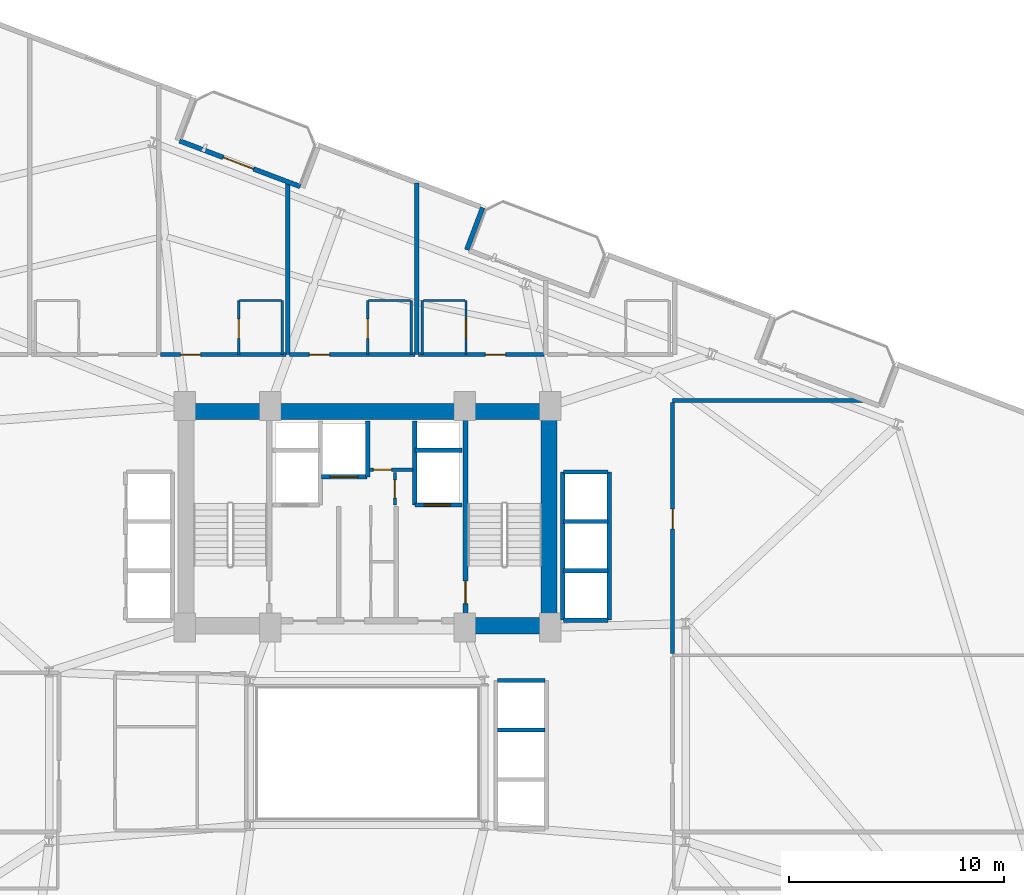
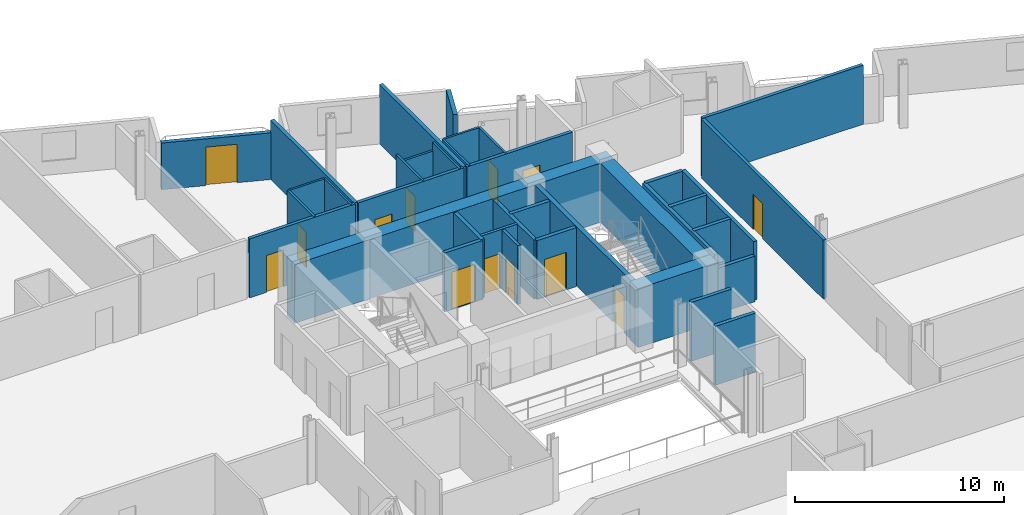
# One storey, part 19 of 24: 37 walls, 13 doors, 13 openings.
"""IFC4 building model written with IfcOpenShell, lengths in metres."""

from ifc_helpers import new_model, si_unit, direction, frame, frame_2d, origin, place, context, subcontext, project, spatial, rectangle, extrude, material, layer, layer_set, type_object, element, fill, save


model = new_model("IFC4")

# Units and contexts
model_context = context("Model", 3, precision=1e-05, world=origin(), true_north=direction((0.0, 1.0)))
body_context = subcontext(model_context, "Body", "Model", "MODEL_VIEW")
ifc_project = project(units=[si_unit("LENGTHUNIT", "METRE"), si_unit("AREAUNIT", "SQUARE_METRE"), si_unit("VOLUMEUNIT", "CUBIC_METRE"), si_unit("PLANEANGLEUNIT", "RADIAN"), si_unit("MASSUNIT", "GRAM", prefix="KILO")], contexts=[model_context])

# Site, building, storey
site_placement = place(None, origin())
site = spatial("IfcSite", under=ifc_project, at=site_placement, CompositionType="ELEMENT")
building_placement = place(site_placement, origin())
building = spatial("IfcBuilding", under=site, at=building_placement, Name="Varnelok Gate Tower", CompositionType="ELEMENT")
storey_placement = place(building_placement, frame((0.0, 0.0, 87.300048828125)))
storey = spatial("IfcBuildingStorey", under=building, at=storey_placement, Name="L21", CompositionType="ELEMENT", Elevation=87.300048828125)

# Wall, opening, door
ifc_material_1 = material(Name="Concrete C45/55", Category="concrete")
ifc_layer_1 = layer(ifc_material_1, 0.219970703125)
ifc_layer_set_1 = layer_set([ifc_layer_1], Name="Concrete C45/55")
wall_type_1 = type_object("IfcWallType", Name="EW-BALC-220", PredefinedType="SOLIDWALL", material=ifc_layer_set_1)
wall_1_placement = place(storey_placement, frame((30.465087890625, 51.37158203125, 0.0), z_axis=(0.0, 0.0, 1.0), x_axis=(0.935227640088, -0.354046976001, 0.0)))
wall_1 = element("IfcWall", 1, at=wall_1_placement, inside=storey, type_object=wall_type_1, Name="L21 North Terrace Envelope Wall 4", PredefinedType="SOLIDWALL", context=body_context, shape_type="SweptSolid", body=[
    extrude(rectangle(XDim=6.0, YDim=0.219970703125, at=frame_2d((3.0, 0.0))), origin(), (0.0, 0.0, 1.0), 2.72998046875),
])
opening_1_placement = place(wall_1_placement, frame((2.176025390625, 0.0, 0.0)))
opening_1 = element("IfcOpeningElement", 2, at=opening_1_placement, cuts=wall_1, Name="Opening BD-1", PredefinedType="OPENING", context=body_context, shape_type="SweptSolid", body=[
    extrude(rectangle(XDim=1.5, YDim=2.25, at=frame_2d((0.75, 1.125))), frame((0.0, 0.119873046875, 0.0), z_axis=(0.0, -1.0, 0.0), x_axis=(1.0, 0.0, 0.0)), (0.0, 0.0, 1.0), 0.239990234375),
])
ifc_material_2 = material(Name="Anodized Aluminum Alloy 6063-T6", Category="aluminium")
door_type_1 = type_object("IfcDoorType", Name="DR-EXT-BALC1500", OperationType="NOTDEFINED", PredefinedType="DOOR", material=ifc_material_2)
door_1_placement = place(opening_1_placement, origin())
door_1 = element("IfcDoor", 3, at=door_1_placement, inside=storey, type_object=door_type_1, Name="L21 North Balcony Glazed Door 4", OperationType="SINGLE_SWING_LEFT", OverallHeight=2.25, OverallWidth=1.5, PredefinedType="DOOR", context=body_context, shape_type="SweptSolid", body=[
    extrude(rectangle(XDim=1.5, YDim=2.25, at=frame_2d((0.75, 1.125))), frame((0.0, 0.02490234375, 0.0), z_axis=(0.0, -1.0, 0.0), x_axis=(1.0, 0.0, 0.0)), (0.0, 0.0, 1.0), 0.050048828125),
])
fill(opening_1, door_1)

# Wall
wall_2_placement = place(storey_placement, frame((43.816650390625, 46.30615234375, 0.0), z_axis=(0.0, 0.0, 1.0), x_axis=(0.353988291547, 0.935249854022, 0.0)))
element("IfcWall", 4, at=wall_2_placement, inside=storey, type_object=wall_type_1, Name="L21 Perimeter Facade Closure Wall 34", PredefinedType="SOLIDWALL", context=body_context, shape_type="SweptSolid", body=[
    extrude(rectangle(XDim=2.10009765625, YDim=0.219970703125, at=frame_2d((1.050048828125, 0.0))), origin(), (0.0, 0.0, 1.0), 2.72998046875),
])

# Wall, opening, door
ifc_material_3 = material(Name="Gypsum Plasterboard Acoustic Partition", Category="gypsum")
ifc_layer_2 = layer(ifc_material_3, 0.179931640625)
ifc_layer_set_2 = layer_set([ifc_layer_2], Name="Gypsum Plasterboard Acoustic Partition")
wall_type_2 = type_object("IfcWallType", Name="PW-CORR-180", PredefinedType="PARTITIONING", material=ifc_layer_set_2)
wall_3_placement = place(storey_placement, frame((29.580078125, 41.429931640625, 0.0), z_axis=(0.0, 0.0, 1.0), x_axis=(1.0, 0.0, 0.0)))
wall_3 = element("IfcWall", 5, at=wall_3_placement, inside=storey, type_object=wall_type_2, Name="Interior Partition", PredefinedType="PARTITIONING", context=body_context, shape_type="SweptSolid", body=[
    extrude(rectangle(XDim=5.83984375, YDim=0.179931640625, at=frame_2d((2.919921875, 0.0))), origin(), (0.0, 0.0, 1.0), 3.449951171875),
])
opening_2_placement = place(wall_3_placement, frame((0.917236328125, 0.0, 0.0)))
opening_2 = element("IfcOpeningElement", 6, at=opening_2_placement, cuts=wall_3, Name="Opening D-HT", PredefinedType="OPENING", context=body_context, shape_type="SweptSolid", body=[
    extrude(rectangle(XDim=0.949951171875, YDim=2.14990234375, at=frame_2d((0.47509765625, 1.074951171875))), frame((0.0, 0.099853515625, 0.0), z_axis=(0.0, -1.0, 0.0), x_axis=(1.0, 0.0, 0.0)), (0.0, 0.0, 1.0), 0.199951171875),
])
ifc_material_4 = material(Name="Engineered Hardwood Timber", Category="wood")
door_type_2 = type_object("IfcDoorType", Name="DR-HTL-950", OperationType="NOTDEFINED", PredefinedType="DOOR", material=ifc_material_4)
door_2_placement = place(opening_2_placement, origin())
door_2 = element("IfcDoor", 7, at=door_2_placement, inside=storey, type_object=door_type_2, Name="L21 Guest Room 07 Entrance Door", OperationType="SINGLE_SWING_RIGHT", OverallHeight=2.14990234375, OverallWidth=0.949951171875, PredefinedType="DOOR", context=body_context, shape_type="SweptSolid", body=[
    extrude(rectangle(XDim=0.949951171875, YDim=2.14990234375, at=frame_2d((0.47509765625, 1.074951171875))), frame((0.0, 0.02490234375, 0.0), z_axis=(0.0, -1.0, 0.0), x_axis=(1.0, 0.0, 0.0)), (0.0, 0.0, 1.0), 0.050048828125),
])
fill(opening_2, door_2)

wall_4_placement = place(storey_placement, frame((35.580078125, 41.429931640625, 0.0), z_axis=(0.0, 0.0, 1.0), x_axis=(1.0, 0.0, 0.0)))
wall_4 = element("IfcWall", 8, at=wall_4_placement, inside=storey, type_object=wall_type_2, Name="Interior Partition", PredefinedType="PARTITIONING", context=body_context, shape_type="SweptSolid", body=[
    extrude(rectangle(XDim=5.83984375, YDim=0.179931640625, at=frame_2d((2.919921875, 0.0))), origin(), (0.0, 0.0, 1.0), 3.449951171875),
])
opening_3_placement = place(wall_4_placement, frame((0.917236328125, 0.0, 0.0)))
opening_3 = element("IfcOpeningElement", 9, at=opening_3_placement, cuts=wall_4, Name="Opening D-HT", PredefinedType="OPENING", context=body_context, shape_type="SweptSolid", body=[
    extrude(rectangle(XDim=0.949951171875, YDim=2.14990234375, at=frame_2d((0.47509765625, 1.074951171875))), frame((0.0, 0.099853515625, 0.0), z_axis=(0.0, -1.0, 0.0), x_axis=(1.0, 0.0, 0.0)), (0.0, 0.0, 1.0), 0.199951171875),
])
door_3_placement = place(opening_3_placement, origin())
door_3 = element("IfcDoor", 10, at=door_3_placement, inside=storey, type_object=door_type_2, Name="L21 Guest Room 08 Entrance Door", OperationType="SINGLE_SWING_LEFT", OverallHeight=2.14990234375, OverallWidth=0.949951171875, PredefinedType="DOOR", context=body_context, shape_type="SweptSolid", body=[
    extrude(rectangle(XDim=0.949951171875, YDim=2.14990234375, at=frame_2d((0.47509765625, 1.074951171875))), frame((0.0, 0.02490234375, 0.0), z_axis=(0.0, -1.0, 0.0), x_axis=(1.0, 0.0, 0.0)), (0.0, 0.0, 1.0), 0.050048828125),
])
fill(opening_3, door_3)

wall_5_placement = place(storey_placement, frame((41.580078125, 41.429931640625, 0.0), z_axis=(0.0, 0.0, 1.0), x_axis=(1.0, 0.0, 0.0)))
wall_5 = element("IfcWall", 11, at=wall_5_placement, inside=storey, type_object=wall_type_2, Name="Interior Partition", PredefinedType="PARTITIONING", context=body_context, shape_type="SweptSolid", body=[
    extrude(rectangle(XDim=5.83984375, YDim=0.179931640625, at=frame_2d((2.919921875, 0.0))), origin(), (0.0, 0.0, 1.0), 3.449951171875),
])
opening_4_placement = place(wall_5_placement, frame((3.101318359375, 0.0, 0.0)))
opening_4 = element("IfcOpeningElement", 12, at=opening_4_placement, cuts=wall_5, Name="Opening D-HT", PredefinedType="OPENING", context=body_context, shape_type="SweptSolid", body=[
    extrude(rectangle(XDim=0.949951171875, YDim=2.14990234375, at=frame_2d((0.47509765625, 1.074951171875))), frame((0.0, 0.099853515625, 0.0), z_axis=(0.0, -1.0, 0.0), x_axis=(1.0, 0.0, 0.0)), (0.0, 0.0, 1.0), 0.199951171875),
])
door_4_placement = place(opening_4_placement, origin())
door_4 = element("IfcDoor", 13, at=door_4_placement, inside=storey, type_object=door_type_2, Name="L21 Guest Room 09 Entrance Door", OperationType="SINGLE_SWING_RIGHT", OverallHeight=2.14990234375, OverallWidth=0.949951171875, PredefinedType="DOOR", context=body_context, shape_type="SweptSolid", body=[
    extrude(rectangle(XDim=0.949951171875, YDim=2.14990234375, at=frame_2d((0.47509765625, 1.074951171875))), frame((0.0, 0.02490234375, 0.0), z_axis=(0.0, -1.0, 0.0), x_axis=(1.0, 0.0, 0.0)), (0.0, 0.0, 1.0), 0.050048828125),
])
fill(opening_4, door_4)

wall_6_placement = place(storey_placement, frame((53.389892578125, 27.530029296875, 0.0), z_axis=(0.0, 0.0, 1.0), x_axis=(0.0, 1.0, 0.0)))
wall_6 = element("IfcWall", 14, at=wall_6_placement, inside=storey, type_object=wall_type_2, Name="Interior Partition", PredefinedType="PARTITIONING", context=body_context, shape_type="SweptSolid", body=[
    extrude(rectangle(XDim=11.669921875, YDim=0.179931640625, at=frame_2d((5.8349609375, 0.0))), origin(), (0.0, 0.0, 1.0), 3.449951171875),
])
opening_5_placement = place(wall_6_placement, frame((5.800048828125, 0.0, 0.0)))
opening_5 = element("IfcOpeningElement", 15, at=opening_5_placement, cuts=wall_6, Name="Opening D-I3", PredefinedType="OPENING", context=body_context, shape_type="SweptSolid", body=[
    extrude(rectangle(XDim=0.919921875, YDim=2.050048828125, at=frame_2d((0.4599609375, 1.02490234375))), frame((0.0, 0.099853515625, 0.0), z_axis=(0.0, -1.0, 0.0), x_axis=(1.0, 0.0, 0.0)), (0.0, 0.0, 1.0), 0.199951171875),
])
door_type_3 = type_object("IfcDoorType", Name="DR-INT-920", OperationType="NOTDEFINED", PredefinedType="DOOR", material=ifc_material_4)
door_5_placement = place(opening_5_placement, origin())
door_5 = element("IfcDoor", 16, at=door_5_placement, inside=storey, type_object=door_type_3, Name="L21 East Suite 2 Door", OperationType="SINGLE_SWING_RIGHT", OverallHeight=2.050048828125, OverallWidth=0.919921875, PredefinedType="DOOR", context=body_context, shape_type="SweptSolid", body=[
    extrude(rectangle(XDim=0.919921875, YDim=2.050048828125, at=frame_2d((0.4599609375, 1.02490234375))), frame((0.0, 0.02490234375, 0.0), z_axis=(0.0, -1.0, 0.0), x_axis=(1.0, 0.0, 0.0)), (0.0, 0.0, 1.0), 0.050048828125),
])
fill(opening_5, door_5)

# Walls
wall_7_placement = place(storey_placement, frame((53.389892578125, 39.300048828125, 0.0), z_axis=(0.0, 0.0, 1.0), x_axis=(1.0, 0.0, 0.0)))
element("IfcWall", 17, at=wall_7_placement, inside=storey, type_object=wall_type_2, Name="Interior Partition", PredefinedType="PARTITIONING", context=body_context, shape_type="SweptSolid", body=[
    extrude(rectangle(XDim=8.87646484375, YDim=0.179931640625, at=frame_2d((4.438232421875, 0.0))), origin(), (0.0, 0.0, 1.0), 3.449951171875),
])
ifc_layer_3 = layer(ifc_material_3, 0.114990234375)
ifc_layer_set_3 = layer_set([ifc_layer_3], Name="Gypsum Plasterboard Acoustic Partition")
wall_type_3 = type_object("IfcWallType", Name="PW-ENS-125", PredefinedType="PARTITIONING", material=ifc_layer_set_3)
wall_8_placement = place(storey_placement, frame((33.256103515625, 43.949951171875, 0.0), z_axis=(0.0, 0.0, 1.0), x_axis=(1.0, 0.0, 0.0)))
element("IfcWall", 18, at=wall_8_placement, inside=storey, type_object=wall_type_3, Name="Interior Partition", PredefinedType="PARTITIONING", context=body_context, shape_type="SweptSolid", body=[
    extrude(rectangle(XDim=1.94384765625, YDim=0.114990234375, at=frame_2d((0.971923828125, 0.0))), origin(), (0.0, 0.0, 1.0), 3.449951171875),
])

# Wall, opening, door
wall_9_placement = place(storey_placement, frame((33.216064453125, 41.429931640625, 0.0), z_axis=(0.0, 0.0, 1.0), x_axis=(0.0, 1.0, 0.0)))
wall_9 = element("IfcWall", 19, at=wall_9_placement, inside=storey, type_object=wall_type_3, Name="Interior Partition", PredefinedType="PARTITIONING", context=body_context, shape_type="SweptSolid", body=[
    extrude(rectangle(XDim=2.52001953125, YDim=0.114990234375, at=frame_2d((1.260009765625, 0.0))), origin(), (0.0, 0.0, 1.0), 3.449951171875),
])
opening_6_placement = place(wall_9_placement, frame((0.760009765625, 0.0, 0.0)))
opening_6 = element("IfcOpeningElement", 20, at=opening_6_placement, cuts=wall_9, Name="Opening D-WC", PredefinedType="OPENING", context=body_context, shape_type="SweptSolid", body=[
    extrude(rectangle(XDim=0.89990234375, YDim=2.050048828125, at=frame_2d((0.449951171875, 1.02490234375))), frame((0.0, 0.0673828125, 0.0), z_axis=(0.0, -1.0, 0.0), x_axis=(1.0, 0.0, 0.0)), (0.0, 0.0, 1.0), 0.135009765625),
])
door_type_4 = type_object("IfcDoorType", Name="DR-BATH-900", OperationType="NOTDEFINED", PredefinedType="DOOR", material=ifc_material_4)
door_6_placement = place(opening_6_placement, origin())
door_6 = element("IfcDoor", 21, at=door_6_placement, inside=storey, type_object=door_type_4, Name="L21 North En-Suite 07 Door", OperationType="SINGLE_SWING_LEFT", OverallHeight=2.050048828125, OverallWidth=0.89990234375, PredefinedType="DOOR", context=body_context, shape_type="SweptSolid", body=[
    extrude(rectangle(XDim=0.89990234375, YDim=2.050048828125, at=frame_2d((0.449951171875, 1.02490234375))), frame((0.0, 0.02490234375, 0.0), z_axis=(0.0, -1.0, 0.0), x_axis=(1.0, 0.0, 0.0)), (0.0, 0.0, 1.0), 0.050048828125),
])
fill(opening_6, door_6)

# Walls
wall_10_placement = place(storey_placement, frame((35.239990234375, 41.429931640625, 0.0), z_axis=(0.0, 0.0, 1.0), x_axis=(0.0, 1.0, 0.0)))
element("IfcWall", 22, at=wall_10_placement, inside=storey, type_object=wall_type_3, Name="Interior Partition", PredefinedType="PARTITIONING", context=body_context, shape_type="SweptSolid", body=[
    extrude(rectangle(XDim=2.52001953125, YDim=0.114990234375, at=frame_2d((1.260009765625, 0.0))), origin(), (0.0, 0.0, 1.0), 3.449951171875),
])
wall_11_placement = place(storey_placement, frame((39.256103515625, 43.949951171875, 0.0), z_axis=(0.0, 0.0, 1.0), x_axis=(1.0, 0.0, 0.0)))
element("IfcWall", 23, at=wall_11_placement, inside=storey, type_object=wall_type_3, Name="Interior Partition", PredefinedType="PARTITIONING", context=body_context, shape_type="SweptSolid", body=[
    extrude(rectangle(XDim=1.94384765625, YDim=0.114990234375, at=frame_2d((0.971923828125, 0.0))), origin(), (0.0, 0.0, 1.0), 2.971923828125),
])

# Wall, opening, door
wall_12_placement = place(storey_placement, frame((39.216064453125, 41.429931640625, 0.0), z_axis=(0.0, 0.0, 1.0), x_axis=(0.0, 1.0, 0.0)))
wall_12 = element("IfcWall", 24, at=wall_12_placement, inside=storey, type_object=wall_type_3, Name="Interior Partition", PredefinedType="PARTITIONING", context=body_context, shape_type="SweptSolid", body=[
    extrude(rectangle(XDim=2.52001953125, YDim=0.114990234375, at=frame_2d((1.260009765625, 0.0))), origin(), (0.0, 0.0, 1.0), 3.449951171875),
])
opening_7_placement = place(wall_12_placement, frame((0.760009765625, 0.0, 0.0)))
opening_7 = element("IfcOpeningElement", 25, at=opening_7_placement, cuts=wall_12, Name="Opening D-WC", PredefinedType="OPENING", context=body_context, shape_type="SweptSolid", body=[
    extrude(rectangle(XDim=0.89990234375, YDim=2.050048828125, at=frame_2d((0.449951171875, 1.02490234375))), frame((0.0, 0.0673828125, 0.0), z_axis=(0.0, -1.0, 0.0), x_axis=(1.0, 0.0, 0.0)), (0.0, 0.0, 1.0), 0.135009765625),
])
door_7_placement = place(opening_7_placement, origin())
door_7 = element("IfcDoor", 26, at=door_7_placement, inside=storey, type_object=door_type_4, Name="L21 North En-Suite 08 Door", OperationType="SINGLE_SWING_LEFT", OverallHeight=2.050048828125, OverallWidth=0.89990234375, PredefinedType="DOOR", context=body_context, shape_type="SweptSolid", body=[
    extrude(rectangle(XDim=0.89990234375, YDim=2.050048828125, at=frame_2d((0.449951171875, 1.02490234375))), frame((0.0, 0.02490234375, 0.0), z_axis=(0.0, -1.0, 0.0), x_axis=(1.0, 0.0, 0.0)), (0.0, 0.0, 1.0), 0.050048828125),
])
fill(opening_7, door_7)

# Walls
wall_13_placement = place(storey_placement, frame((41.239990234375, 41.429931640625, 0.0), z_axis=(0.0, 0.0, 1.0), x_axis=(0.0, 1.0, 0.0)))
element("IfcWall", 27, at=wall_13_placement, inside=storey, type_object=wall_type_3, Name="Interior Partition", PredefinedType="PARTITIONING", context=body_context, shape_type="SweptSolid", body=[
    extrude(rectangle(XDim=2.52001953125, YDim=0.114990234375, at=frame_2d((1.260009765625, 0.0))), origin(), (0.0, 0.0, 1.0), 3.449951171875),
])
wall_14_placement = place(storey_placement, frame((41.800048828125, 43.949951171875, 0.0), z_axis=(0.0, 0.0, 1.0), x_axis=(1.0, 0.0, 0.0)))
element("IfcWall", 28, at=wall_14_placement, inside=storey, type_object=wall_type_3, Name="Interior Partition", PredefinedType="PARTITIONING", context=body_context, shape_type="SweptSolid", body=[
    extrude(rectangle(XDim=1.94384765625, YDim=0.114990234375, at=frame_2d((0.971923828125, 0.0))), origin(), (0.0, 0.0, 1.0), 3.449951171875),
])

# Wall, opening, door
wall_15_placement = place(storey_placement, frame((43.783935546875, 41.429931640625, 0.0), z_axis=(0.0, 0.0, 1.0), x_axis=(0.0, 1.0, 0.0)))
wall_15 = element("IfcWall", 29, at=wall_15_placement, inside=storey, type_object=wall_type_3, Name="Interior Partition", PredefinedType="PARTITIONING", context=body_context, shape_type="SweptSolid", body=[
    extrude(rectangle(XDim=2.52001953125, YDim=0.114990234375, at=frame_2d((1.260009765625, 0.0))), origin(), (0.0, 0.0, 1.0), 3.449951171875),
])
opening_8_placement = place(wall_15_placement, frame((0.760009765625, 0.0, 0.0)))
opening_8 = element("IfcOpeningElement", 30, at=opening_8_placement, cuts=wall_15, Name="Opening D-WC", PredefinedType="OPENING", context=body_context, shape_type="SweptSolid", body=[
    extrude(rectangle(XDim=0.89990234375, YDim=2.050048828125, at=frame_2d((0.449951171875, 1.02490234375))), frame((0.0, 0.0673828125, 0.0), z_axis=(0.0, -1.0, 0.0), x_axis=(1.0, 0.0, 0.0)), (0.0, 0.0, 1.0), 0.135009765625),
])
door_8_placement = place(opening_8_placement, origin())
door_8 = element("IfcDoor", 31, at=door_8_placement, inside=storey, type_object=door_type_4, Name="L21 North En-Suite 09 Door", OperationType="SINGLE_SWING_RIGHT", OverallHeight=2.050048828125, OverallWidth=0.89990234375, PredefinedType="DOOR", context=body_context, shape_type="SweptSolid", body=[
    extrude(rectangle(XDim=0.89990234375, YDim=2.050048828125, at=frame_2d((0.449951171875, 1.02490234375))), frame((0.0, 0.02490234375, 0.0), z_axis=(0.0, -1.0, 0.0), x_axis=(1.0, 0.0, 0.0)), (0.0, 0.0, 1.0), 0.050048828125),
])
fill(opening_8, door_8)

# Wall
wall_16_placement = place(storey_placement, frame((41.760009765625, 41.429931640625, 0.0), z_axis=(0.0, 0.0, 1.0), x_axis=(0.0, 1.0, 0.0)))
element("IfcWall", 32, at=wall_16_placement, inside=storey, type_object=wall_type_3, Name="Interior Partition", PredefinedType="PARTITIONING", context=body_context, shape_type="SweptSolid", body=[
    extrude(rectangle(XDim=2.52001953125, YDim=0.114990234375, at=frame_2d((1.260009765625, 0.0))), origin(), (0.0, 0.0, 1.0), 3.449951171875),
])

# Wall, opening, door
ifc_layer_4 = layer(ifc_material_3, 0.14990234375)
ifc_layer_set_4 = layer_set([ifc_layer_4], Name="Gypsum Plasterboard Acoustic Partition")
wall_type_4 = type_object("IfcWallType", Name="PW-PART-150", PredefinedType="PARTITIONING", material=ifc_layer_set_4)
wall_17_placement = place(storey_placement, frame((39.300048828125, 36.080078125, 0.0), z_axis=(0.0, 0.0, 1.0), x_axis=(1.0, 0.0, 0.0)))
wall_17 = element("IfcWall", 33, at=wall_17_placement, inside=storey, type_object=wall_type_4, Name="L21 Electrical Closet South Wall", PredefinedType="PARTITIONING", context=body_context, shape_type="SweptSolid", body=[
    extrude(rectangle(XDim=2.02001953125, YDim=0.14990234375, at=frame_2d((1.010009765625, 0.0))), origin(), (0.0, 0.0, 1.0), 3.449951171875),
])
opening_9_placement = place(wall_17_placement, frame((0.179931640625, 0.0, 0.0)))
opening_9 = element("IfcOpeningElement", 34, at=opening_9_placement, cuts=wall_17, Name="Opening D-RS", PredefinedType="OPENING", context=body_context, shape_type="SweptSolid", body=[
    extrude(rectangle(XDim=0.85009765625, YDim=2.050048828125, at=frame_2d((0.425048828125, 1.02490234375))), frame((0.0, 0.0849609375, 0.0), z_axis=(0.0, -1.0, 0.0), x_axis=(1.0, 0.0, 0.0)), (0.0, 0.0, 1.0), 0.169921875),
])
ifc_material_5 = material(Name="Galvanized Steel Grade S350GD", Category="steel")
door_type_5 = type_object("IfcDoorType", Name="DR-RISER-850", OperationType="NOTDEFINED", PredefinedType="DOOR", material=ifc_material_5)
door_9_placement = place(opening_9_placement, origin())
door_9 = element("IfcDoor", 35, at=door_9_placement, inside=storey, type_object=door_type_5, Name="L21 Electrical Closet Door", OperationType="SINGLE_SWING_RIGHT", OverallHeight=2.050048828125, OverallWidth=0.85009765625, PredefinedType="DOOR", context=body_context, shape_type="SweptSolid", body=[
    extrude(rectangle(XDim=0.85009765625, YDim=2.050048828125, at=frame_2d((0.425048828125, 1.02490234375))), frame((0.0, 0.02490234375, 0.0), z_axis=(0.0, -1.0, 0.0), x_axis=(1.0, 0.0, 0.0)), (0.0, 0.0, 1.0), 0.050048828125),
])
fill(opening_9, door_9)

wall_18_placement = place(storey_placement, frame((40.47998046875, 34.43994140625, 0.0), z_axis=(0.0, 0.0, 1.0), x_axis=(0.0, 1.0, 0.0)))
wall_18 = element("IfcWall", 36, at=wall_18_placement, inside=storey, type_object=wall_type_4, Name="L21 Telecoms Closet West Wall", PredefinedType="PARTITIONING", context=body_context, shape_type="SweptSolid", body=[
    extrude(rectangle(XDim=1.52001953125, YDim=0.14990234375, at=frame_2d((0.760009765625, 0.0))), origin(), (0.0, 0.0, 1.0), 3.449951171875),
])
opening_10_placement = place(wall_18_placement, frame((0.320068359375, 0.0, 0.0)))
opening_10 = element("IfcOpeningElement", 37, at=opening_10_placement, cuts=wall_18, Name="Opening D-RS", PredefinedType="OPENING", context=body_context, shape_type="SweptSolid", body=[
    extrude(rectangle(XDim=0.85009765625, YDim=2.050048828125, at=frame_2d((0.425048828125, 1.02490234375))), frame((0.0, 0.0849609375, 0.0), z_axis=(0.0, -1.0, 0.0), x_axis=(1.0, 0.0, 0.0)), (0.0, 0.0, 1.0), 0.169921875),
])
door_10_placement = place(opening_10_placement, origin())
door_10 = element("IfcDoor", 38, at=door_10_placement, inside=storey, type_object=door_type_5, Name="L21 Telecoms Closet Door", OperationType="SINGLE_SWING_LEFT", OverallHeight=2.050048828125, OverallWidth=0.85009765625, PredefinedType="DOOR", context=body_context, shape_type="SweptSolid", body=[
    extrude(rectangle(XDim=0.85009765625, YDim=2.050048828125, at=frame_2d((0.425048828125, 1.02490234375))), frame((0.0, 0.02490234375, 0.0), z_axis=(0.0, -1.0, 0.0), x_axis=(1.0, 0.0, 0.0)), (0.0, 0.0, 1.0), 0.050048828125),
])
fill(opening_10, door_10)

# Walls
ifc_layer_5 = layer(ifc_material_3, 0.205078125)
ifc_layer_set_5 = layer_set([ifc_layer_5], Name="Gypsum Plasterboard Acoustic Partition")
wall_type_5 = type_object("IfcWallType", Name="PW-PARTY-200", PredefinedType="PARTITIONING", material=ifc_layer_set_5)
wall_19_placement = place(storey_placement, frame((35.5, 41.429931640625, 0.0), z_axis=(0.0, 0.0, 1.0), x_axis=(0.0, 1.0, 0.0)))
element("IfcWall", 39, at=wall_19_placement, inside=storey, type_object=wall_type_5, Name="L21 North Party Wall 3", PredefinedType="PARTITIONING", context=body_context, shape_type="SweptSolid", body=[
    extrude(rectangle(XDim=8.00341796875, YDim=0.205078125, at=frame_2d((4.001708984375, 0.0))), origin(), (0.0, 0.0, 1.0), 3.449951171875),
])
wall_20_placement = place(storey_placement, frame((41.5, 41.429931640625, 0.0), z_axis=(0.0, 0.0, 1.0), x_axis=(0.0, 1.0, 0.0)))
element("IfcWall", 40, at=wall_20_placement, inside=storey, type_object=wall_type_5, Name="L21 North Party Wall 4", PredefinedType="PARTITIONING", context=body_context, shape_type="SweptSolid", body=[
    extrude(rectangle(XDim=7.977294921875, YDim=0.205078125, at=frame_2d((3.98876953125, 0.0))), origin(), (0.0, 0.0, 1.0), 3.449951171875),
])

# Wall, opening, door
ifc_material_6 = material(Name="Concrete C35/45", Category="concrete")
ifc_layer_6 = layer(ifc_material_6, 0.199951171875)
ifc_layer_set_6 = layer_set([ifc_layer_6], Name="Concrete C35/45")
wall_type_6 = type_object("IfcWallType", Name="PW-SHAFT-200", PredefinedType="PARTITIONING", material=ifc_layer_set_6)
wall_21_placement = place(storey_placement, frame((41.419921875, 34.43994140625, 0.0), z_axis=(0.0, 0.0, 1.0), x_axis=(1.0, 0.0, 0.0)))
wall_21 = element("IfcWall", 41, at=wall_21_placement, inside=storey, type_object=wall_type_6, Name="L21 FF2 Shaft Front Wall", PredefinedType="PARTITIONING", context=body_context, shape_type="SweptSolid", body=[
    extrude(rectangle(XDim=2.18017578125, YDim=0.199951171875, at=frame_2d((1.090087890625, 0.0))), origin(), (0.0, 0.0, 1.0), 3.449951171875),
])
opening_11_placement = place(wall_21_placement, frame((0.419921875, 0.0, 0.0)))
opening_11 = element("IfcOpeningElement", 42, at=opening_11_placement, cuts=wall_21, Name="Opening LD-FF2", PredefinedType="OPENING", context=body_context, shape_type="SweptSolid", body=[
    extrude(rectangle(XDim=1.199951171875, YDim=2.199951171875, at=frame_2d((0.60009765625, 1.10009765625))), frame((0.0, 0.10986328125, 0.0), z_axis=(0.0, -1.0, 0.0), x_axis=(1.0, 0.0, 0.0)), (0.0, 0.0, 1.0), 0.219970703125),
])
door_type_6 = type_object("IfcDoorType", Name="DR-LIFT-FF1200", OperationType="SLIDING_TO_LEFT", PredefinedType="DOOR", material=ifc_material_5)
door_11_placement = place(opening_11_placement, origin())
door_11 = element("IfcDoor", 43, at=door_11_placement, inside=storey, type_object=door_type_6, Name="L21 Firefighting Lift Landing Door LD-FF2", OperationType="SLIDING_TO_LEFT", OverallHeight=2.199951171875, OverallWidth=1.199951171875, PredefinedType="DOOR", context=body_context, shape_type="SweptSolid", body=[
    extrude(rectangle(XDim=1.199951171875, YDim=2.199951171875, at=frame_2d((0.60009765625, 1.10009765625))), frame((0.0, 0.02490234375, 0.0), z_axis=(0.0, -1.0, 0.0), x_axis=(1.0, 0.0, 0.0)), (0.0, 0.0, 1.0), 0.050048828125),
])
fill(opening_11, door_11)

# Walls
wall_22_placement = place(storey_placement, frame((41.419921875, 36.97998046875, 0.0), z_axis=(0.0, 0.0, 1.0), x_axis=(1.0, 0.0, 0.0)))
element("IfcWall", 44, at=wall_22_placement, inside=storey, type_object=wall_type_6, Name="L21 FF2 Shaft North Wall", PredefinedType="PARTITIONING", context=body_context, shape_type="SweptSolid", body=[
    extrude(rectangle(XDim=2.18017578125, YDim=0.199951171875, at=frame_2d((1.090087890625, 0.0))), origin(), (0.0, 0.0, 1.0), 3.449951171875),
])
wall_23_placement = place(storey_placement, frame((41.39990234375, 34.43994140625, 0.0), z_axis=(0.0, 0.0, 1.0), x_axis=(0.0, 1.0, 0.0)))
element("IfcWall", 45, at=wall_23_placement, inside=storey, type_object=wall_type_6, Name="L21 FF2 Shaft Side Wall", PredefinedType="PARTITIONING", context=body_context, shape_type="SweptSolid", body=[
    extrude(rectangle(XDim=3.900146484375, YDim=0.199951171875, at=frame_2d((1.9501953125, 0.0))), origin(), (0.0, 0.0, 1.0), 3.449951171875),
])

# Wall, opening, door
wall_24_placement = place(storey_placement, frame((37.06005859375, 35.75, 0.0), z_axis=(0.0, 0.0, 1.0), x_axis=(1.0, 0.0, 0.0)))
wall_24 = element("IfcWall", 46, at=wall_24_placement, inside=storey, type_object=wall_type_6, Name="L21 SV1 Shaft Front Wall", PredefinedType="PARTITIONING", context=body_context, shape_type="SweptSolid", body=[
    extrude(rectangle(XDim=2.119873046875, YDim=0.199951171875, at=frame_2d((1.06005859375, 0.0))), origin(), (0.0, 0.0, 1.0), 3.449951171875),
])
opening_12_placement = place(wall_24_placement, frame((0.39990234375, 0.0, 0.0)))
opening_12 = element("IfcOpeningElement", 47, at=opening_12_placement, cuts=wall_24, Name="Opening LD-SV1", PredefinedType="OPENING", context=body_context, shape_type="SweptSolid", body=[
    extrude(rectangle(XDim=1.300048828125, YDim=2.199951171875, at=frame_2d((0.64990234375, 1.10009765625))), frame((0.0, 0.10986328125, 0.0), z_axis=(0.0, -1.0, 0.0), x_axis=(1.0, 0.0, 0.0)), (0.0, 0.0, 1.0), 0.219970703125),
])
door_type_7 = type_object("IfcDoorType", Name="DR-LIFT-SV1300", OperationType="SLIDING_TO_LEFT", PredefinedType="DOOR", material=ifc_material_5)
door_12_placement = place(opening_12_placement, origin())
door_12 = element("IfcDoor", 48, at=door_12_placement, inside=storey, type_object=door_type_7, Name="L21 Service Lift Landing Door LD-SV1", OperationType="SLIDING_TO_LEFT", OverallHeight=2.199951171875, OverallWidth=1.300048828125, PredefinedType="DOOR", context=body_context, shape_type="SweptSolid", body=[
    extrude(rectangle(XDim=1.300048828125, YDim=2.199951171875, at=frame_2d((0.64990234375, 1.10009765625))), frame((0.0, 0.02490234375, 0.0), z_axis=(0.0, -1.0, 0.0), x_axis=(1.0, 0.0, 0.0)), (0.0, 0.0, 1.0), 0.050048828125),
])
fill(opening_12, door_12)

# Walls
wall_25_placement = place(storey_placement, frame((39.219970703125, 35.75, 0.0), z_axis=(0.0, 0.0, 1.0), x_axis=(0.0, 1.0, 0.0)))
element("IfcWall", 49, at=wall_25_placement, inside=storey, type_object=wall_type_6, Name="L21 SV1 Shaft East Wall", PredefinedType="PARTITIONING", context=body_context, shape_type="SweptSolid", body=[
    extrude(rectangle(XDim=2.590087890625, YDim=0.199951171875, at=frame_2d((1.294921875, 0.0))), origin(), (0.0, 0.0, 1.0), 3.449951171875),
])
for number, where, z_axis, x_axis, name in (
    (50, (48.320068359375, 31.375, 0.0), (0.0, 0.0, 1.0), (1.0, 0.0, 0.0), "L21 PM1 Divider"),
    (51, (48.320068359375, 33.675048828125, 0.0), (0.0, 0.0, 1.0), (1.0, 0.0, 0.0), "L21 PM2 Divider"),
):
    element("IfcWall", number, at=place(storey_placement, frame(where, z_axis=z_axis, x_axis=x_axis)), inside=storey, type_object=wall_type_6, Name=name, PredefinedType="PARTITIONING", context=body_context, shape_type="SweptSolid", body=[
        extrude(rectangle(XDim=2.059814453125, YDim=0.199951171875, at=frame_2d((1.02978515625, 0.0))), origin(), (0.0, 0.0, 1.0), 3.449951171875),
    ])
wall_26_placement = place(storey_placement, frame((48.320068359375, 29.080078125, 0.0), z_axis=(0.0, 0.0, 1.0), x_axis=(1.0, 0.0, 0.0)))
element("IfcWall", 52, at=wall_26_placement, inside=storey, type_object=wall_type_6, Name="L21 PM Bank South Wall", PredefinedType="PARTITIONING", context=body_context, shape_type="SweptSolid", body=[
    extrude(rectangle(XDim=2.059814453125, YDim=0.199951171875, at=frame_2d((1.02978515625, 0.0))), origin(), (0.0, 0.0, 1.0), 2.661865234375),
])
wall_27_placement = place(storey_placement, frame((48.320068359375, 35.969970703125, 0.0), z_axis=(0.0, 0.0, 1.0), x_axis=(1.0, 0.0, 0.0)))
element("IfcWall", 53, at=wall_27_placement, inside=storey, type_object=wall_type_6, Name="L21 PM Bank North Wall", PredefinedType="PARTITIONING", context=body_context, shape_type="SweptSolid", body=[
    extrude(rectangle(XDim=2.059814453125, YDim=0.199951171875, at=frame_2d((1.02978515625, 0.0))), origin(), (0.0, 0.0, 1.0), 3.449951171875),
])
for number, where, z_axis, x_axis, name in (
    (54, (48.280029296875, 29.080078125, 0.0), (0.0, 0.0, 1.0), (0.0, 1.0, 0.0), "L21 PM Bank Back Wall"),
    (55, (50.43994140625, 29.080078125, 0.0), (0.0, 0.0, 1.0), (0.0, 1.0, 0.0), "L21 PM Bank Front Wall"),
):
    element("IfcWall", number, at=place(storey_placement, frame(where, z_axis=z_axis, x_axis=x_axis)), inside=storey, type_object=wall_type_6, Name=name, PredefinedType="PARTITIONING", context=body_context, shape_type="SweptSolid", body=[
        extrude(rectangle(XDim=6.889892578125, YDim=0.199951171875, at=frame_2d((3.44482421875, 0.0))), origin(), (0.0, 0.0, 1.0), 3.449951171875),
    ])
for number, where, z_axis, x_axis, name in (
    (56, (45.239990234375, 23.97509765625, 0.0), (0.0, 0.0, 1.0), (1.0, 0.0, 0.0), "L21 PH2 Divider"),
    (57, (45.239990234375, 26.280029296875, 0.0), (0.0, 0.0, 1.0), (1.0, 0.0, 0.0), "L21 PH Bank North Wall"),
):
    element("IfcWall", number, at=place(storey_placement, frame(where, z_axis=z_axis, x_axis=x_axis)), inside=storey, type_object=wall_type_6, Name=name, PredefinedType="PARTITIONING", context=body_context, shape_type="SweptSolid", body=[
        extrude(rectangle(XDim=2.219970703125, YDim=0.199951171875, at=frame_2d((1.10986328125, 0.0))), origin(), (0.0, 0.0, 1.0), 3.449951171875),
    ])
ifc_material_7 = material(Name="Concrete C70/85", Category="concrete")
ifc_layer_7 = layer(ifc_material_7, 0.75)
ifc_layer_set_7 = layer_set([ifc_layer_7], Name="Concrete C70/85")
wall_type_7 = type_object("IfcWallType", Name="SW-CORE-750", PredefinedType="SHEAR", material=ifc_layer_set_7)
wall_28_placement = place(storey_placement, frame((30.3798828125, 38.794921875, 0.0), z_axis=(0.0, 0.0, 1.0), x_axis=(1.0, 0.0, 0.0)))
element("IfcWall", 58, at=wall_28_placement, inside=storey, type_object=wall_type_7, Name="L21 Rear Core North Shear Wall", PredefinedType="SHEAR", context=body_context, shape_type="SweptSolid", body=[
    extrude(rectangle(XDim=17.64013671875, YDim=0.75, at=frame_2d((8.820068359375, 0.0))), origin(), (0.0, 0.0, 1.0), 3.449951171875),
])
wall_29_placement = place(storey_placement, frame((47.64501953125, 29.199951171875, 0.0), z_axis=(0.0, 0.0, 1.0), x_axis=(0.0, 1.0, 0.0)))
element("IfcWall", 59, at=wall_29_placement, inside=storey, type_object=wall_type_7, Name="L21 Rear Core East Shear Wall", PredefinedType="SHEAR", context=body_context, shape_type="SweptSolid", body=[
    extrude(rectangle(XDim=9.219970703125, YDim=0.75, at=frame_2d((4.60986328125, 0.0))), origin(), (0.0, 0.0, 1.0), 3.449951171875),
])
wall_30_placement = place(storey_placement, frame((43.60009765625, 28.824951171875, 0.0), z_axis=(0.0, 0.0, 1.0), x_axis=(1.0, 0.0, 0.0)))
element("IfcWall", 60, at=wall_30_placement, inside=storey, type_object=wall_type_7, Name="L21 Rear Core South-East Shear Wall", PredefinedType="SHEAR", context=body_context, shape_type="SweptSolid", body=[
    extrude(rectangle(XDim=4.419921875, YDim=0.75, at=frame_2d((2.2099609375, 0.0))), origin(), (0.0, 0.0, 1.0), 3.449951171875),
])

# Wall, opening, door
ifc_material_8 = material(Name="Concrete C60/75", Category="concrete")
ifc_layer_8 = layer(ifc_material_8, 0.25)
ifc_layer_set_8 = layer_set([ifc_layer_8], Name="Concrete C60/75")
wall_type_8 = type_object("IfcWallType", Name="SW-SHAFT-250", PredefinedType="SHEAR", material=ifc_layer_set_8)
wall_31_placement = place(storey_placement, frame((43.760009765625, 29.199951171875, 0.0), z_axis=(0.0, 0.0, 1.0), x_axis=(0.0, 1.0, 0.0)))
wall_31 = element("IfcWall", 61, at=wall_31_placement, inside=storey, type_object=wall_type_8, Name="L21 Stair ST-2 West Shear Wall", PredefinedType="SHEAR", context=body_context, shape_type="SweptSolid", body=[
    extrude(rectangle(XDim=9.219970703125, YDim=0.25, at=frame_2d((4.60986328125, 0.0))), origin(), (0.0, 0.0, 1.0), 3.449951171875),
])
opening_13_placement = place(wall_31_placement, frame((0.64990234375, 0.0, 0.0)))
opening_13 = element("IfcOpeningElement", 62, at=opening_13_placement, cuts=wall_31, Name="Opening D-ST", PredefinedType="OPENING", context=body_context, shape_type="SweptSolid", body=[
    extrude(rectangle(XDim=1.050048828125, YDim=2.14990234375, at=frame_2d((0.52490234375, 1.074951171875))), frame((0.0, 0.135009765625, 0.0), z_axis=(0.0, -1.0, 0.0), x_axis=(1.0, 0.0, 0.0)), (0.0, 0.0, 1.0), 0.27001953125),
])
door_type_8 = type_object("IfcDoorType", Name="DR-STAIR-1050", OperationType="NOTDEFINED", PredefinedType="DOOR", material=ifc_material_5)
door_13_placement = place(opening_13_placement, origin())
door_13 = element("IfcDoor", 63, at=door_13_placement, inside=storey, type_object=door_type_8, Name="L21 Exit Stair ST-2 Fire Door", OperationType="SINGLE_SWING_RIGHT", OverallHeight=2.14990234375, OverallWidth=1.050048828125, PredefinedType="DOOR", context=body_context, shape_type="SweptSolid", body=[
    extrude(rectangle(XDim=1.050048828125, YDim=2.14990234375, at=frame_2d((0.52490234375, 1.074951171875))), frame((0.0, 0.02490234375, 0.0), z_axis=(0.0, -1.0, 0.0), x_axis=(1.0, 0.0, 0.0)), (0.0, 0.0, 1.0), 0.050048828125),
])
fill(opening_13, door_13)

save(model, "model.ifc")
